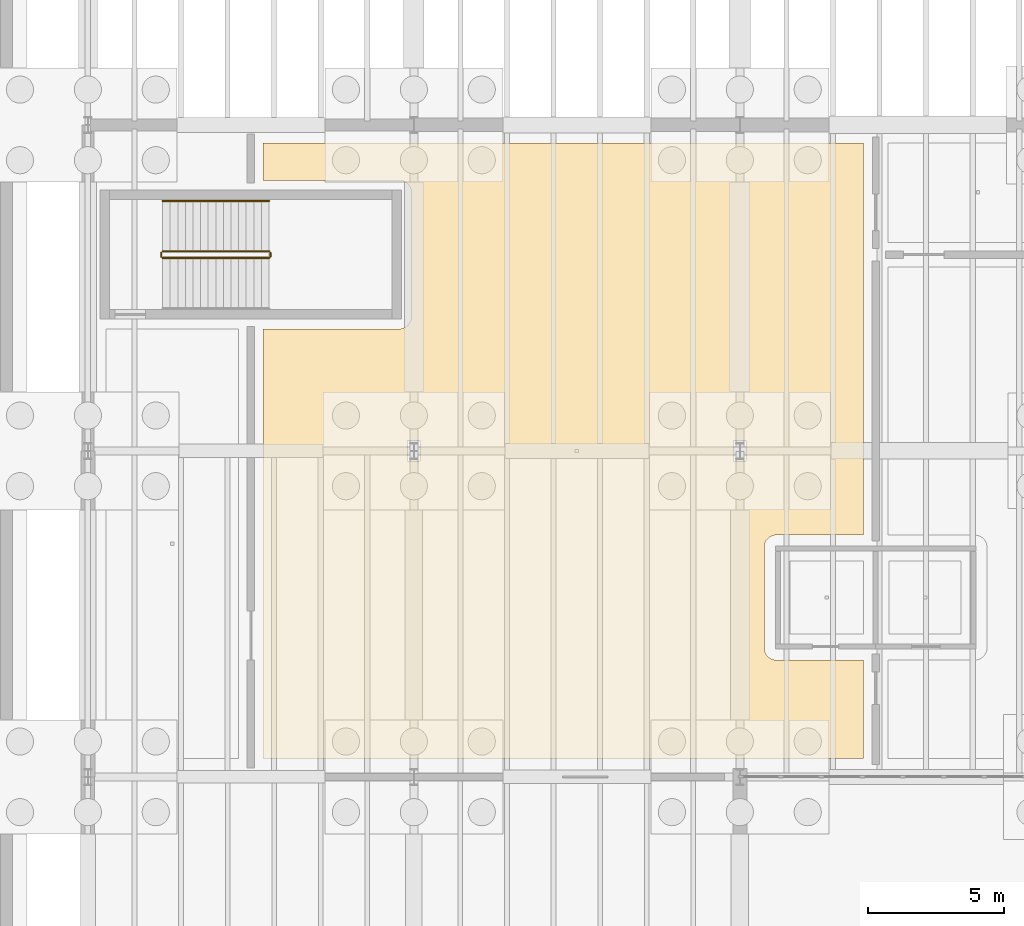
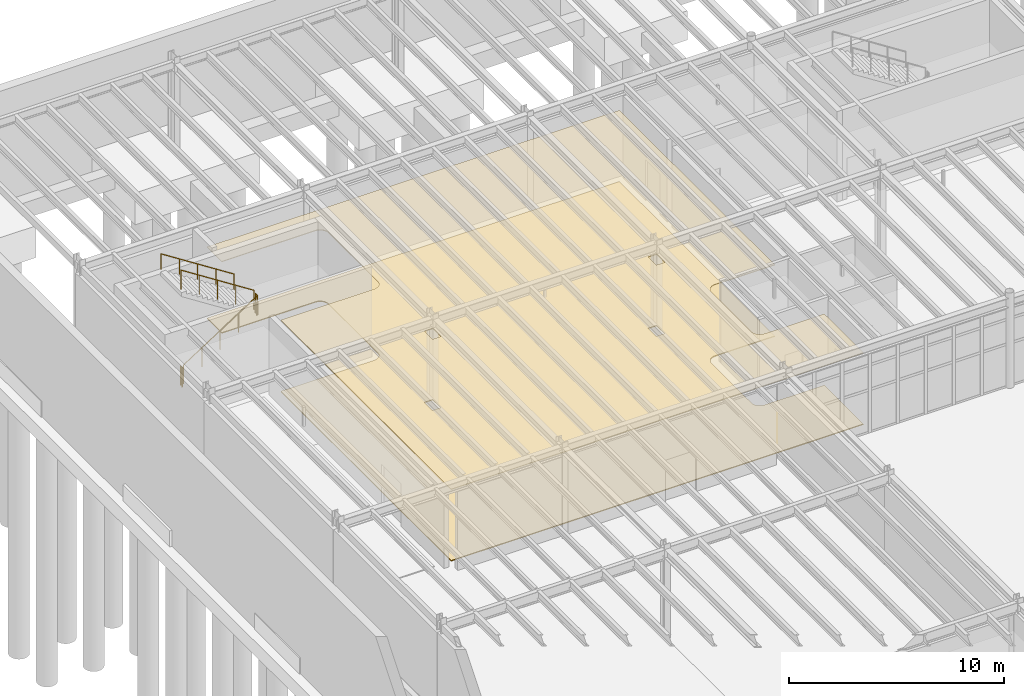
# One storey, part 55 of 67: 5 railings, 2 coverings.
"""IFC4 building model written with IfcOpenShell, lengths in metres."""

from ifc_helpers import new_model, si_unit, direction, frame, origin, origin_2d, place, context, subcontext, project, spatial, polyline, circle, outline, extrude, material, layer, layer_set, type_object, element, save


model = new_model("IFC4")

# Units and contexts
model_context = context("Model", 3, precision=1e-05, world=origin(), true_north=direction((0.0, 1.0)))
body_context = subcontext(model_context, "Body", "Model", "MODEL_VIEW")
ifc_project = project(units=[si_unit("LENGTHUNIT", "METRE"), si_unit("AREAUNIT", "SQUARE_METRE"), si_unit("VOLUMEUNIT", "CUBIC_METRE"), si_unit("PLANEANGLEUNIT", "RADIAN"), si_unit("MASSUNIT", "GRAM", prefix="KILO")], contexts=[model_context])

# Site, building, storey
site_placement = place(None, origin())
site = spatial("IfcSite", under=ifc_project, at=site_placement, CompositionType="ELEMENT")
building_placement = place(site_placement, origin())
building = spatial("IfcBuilding", under=site, at=building_placement, Name="Zlatogorsky Bluff Art Gallery", CompositionType="ELEMENT")
storey_placement = place(building_placement, frame((0.0, 0.0, -5.39990234375)))
storey = spatial("IfcBuildingStorey", under=building, at=storey_placement, Name="B1", CompositionType="ELEMENT", Elevation=-5.39990234375)

# Covering
ifc_material_1 = material(Name="Perforated Gypsum Acoustic Board", Category="gypsum")
ifc_layer_1 = layer(ifc_material_1, 0.0400390625)
ifc_layer_set_1 = layer_set([ifc_layer_1], Name="Acoustic Gallery Ceiling CLG-01")
covering_type_1 = type_object("IfcCoveringType", Name="Acoustic Gallery Ceiling CLG-01", PredefinedType="CEILING", material=ifc_layer_set_1)
covering_1_placement = place(storey_placement, frame((0.0, 0.0, 4.0498046875)))
element("IfcCovering", 1, at=covering_1_placement, inside=storey, type_object=covering_type_1, Name="Climate-Controlled Art Stores acoustic ceiling", PredefinedType="CEILING", context=body_context, shape_type="SweptSolid", body=[
    extrude(outline(polyline([(28.550048828125, 84.669921875), (6.449951171875, 84.669921875), (6.449951171875, 100.489990234375), (11.450927734375, 100.489990234375), (11.495361328125, 100.4921875), (11.539306640625, 100.498779296875), (11.540283203125, 100.498779296875), (11.549560546875, 100.5009765625), (11.550537109375, 100.501220703125), (11.59375, 100.512939453125), (11.6357421875, 100.529296875), (11.637451171875, 100.530029296875), (11.673095703125, 100.5478515625), (11.674072265625, 100.54833984375), (11.706298828125, 100.568115234375), (11.73681640625, 100.59033203125), (11.73828125, 100.591552734375), (11.775390625, 100.624755859375), (11.80859375, 100.661865234375), (11.809814453125, 100.663330078125), (11.83203125, 100.693603515625), (11.851806640625, 100.725830078125), (11.852294921875, 100.726806640625), (11.8701171875, 100.762451171875), (11.870849609375, 100.764404296875), (11.886962890625, 100.80615234375), (11.89892578125, 100.849609375), (11.899169921875, 100.850341796875), (11.901123046875, 100.859619140625), (11.9013671875, 100.860595703125), (11.90771484375, 100.90478515625), (11.909912109375, 100.948974609375), (11.909912109375, 105.5009765625), (11.90771484375, 105.54541015625), (11.9013671875, 105.58935546875), (11.901123046875, 105.59033203125), (11.899169921875, 105.599609375), (11.89892578125, 105.6005859375), (11.886962890625, 105.643798828125), (11.870849609375, 105.685791015625), (11.8701171875, 105.6875), (11.852294921875, 105.72314453125), (11.851806640625, 105.72412109375), (11.83203125, 105.75634765625), (11.809814453125, 105.78662109375), (11.80859375, 105.7880859375), (11.775390625, 105.8251953125), (11.73828125, 105.8583984375), (11.73681640625, 105.859619140625), (11.706298828125, 105.882080078125), (11.674072265625, 105.901611328125), (11.673095703125, 105.902099609375), (11.637451171875, 105.919921875), (11.63671875, 105.92041015625), (11.6357421875, 105.9208984375), (11.59375, 105.93701171875), (11.550537109375, 105.948974609375), (11.549560546875, 105.94921875), (11.540283203125, 105.951171875), (11.539306640625, 105.951416015625), (11.495361328125, 105.957763671875), (11.450927734375, 105.9599609375), (6.449951171875, 105.9599609375), (6.449951171875, 107.330078125), (28.550048828125, 107.330078125), (28.550048828125, 92.89990234375), (25.35009765625, 92.89990234375), (25.305908203125, 92.897705078125), (25.26220703125, 92.891357421875), (25.219482421875, 92.880615234375), (25.177734375, 92.86572265625), (25.137939453125, 92.846923828125), (25.10009765625, 92.82421875), (25.064453125, 92.7978515625), (25.03173828125, 92.768310546875), (25.002197265625, 92.735595703125), (24.975830078125, 92.699951171875), (24.953125, 92.662109375), (24.934326171875, 92.622314453125), (24.91943359375, 92.58056640625), (24.90869140625, 92.537841796875), (24.902099609375, 92.494140625), (24.89990234375, 92.449951171875), (24.89990234375, 88.75), (24.902099609375, 88.705810546875), (24.90869140625, 88.662109375), (24.91943359375, 88.619384765625), (24.934326171875, 88.577880859375), (24.953125, 88.537841796875), (24.975830078125, 88.5), (25.002197265625, 88.464599609375), (25.03173828125, 88.431884765625), (25.064453125, 88.402099609375), (25.10009765625, 88.375732421875), (25.137939453125, 88.35302734375), (25.177734375, 88.334228515625), (25.219482421875, 88.3193359375), (25.26220703125, 88.30859375), (25.305908203125, 88.30224609375), (25.35009765625, 88.300048828125), (28.550048828125, 88.300048828125), (28.550048828125, 84.669921875)]), holes=[polyline([(23.77001953125, 96.3798828125), (23.77001953125, 95.6201171875), (24.22998046875, 95.6201171875), (24.22998046875, 96.3798828125), (23.77001953125, 96.3798828125)]), polyline([(11.77001953125, 95.6201171875), (12.22998046875, 95.6201171875), (12.22998046875, 96.3798828125), (11.77001953125, 96.3798828125), (11.77001953125, 95.6201171875)])]), origin(), (0.0, 0.0, 1.0), 0.0400390625),
])

# Railings
ifc_material_2 = material(Name="Architectural Bronze and Laminated Glass", Category="glass")
railing_type_1 = type_object("IfcRailingType", Name="Gallery Guard Rail 1100mm", PredefinedType="GUARDRAIL", material=ifc_material_2)
railing_1_placement = place(storey_placement, frame((2.75, 103.10009765625, 0.179931640625)))
element("IfcRailing", 2, at=railing_1_placement, inside=storey, type_object=railing_type_1, Name="B1 ST-05 stair guard 1", PredefinedType="GUARDRAIL", context=body_context, shape_type="SweptSolid", body=[
    extrude(circle(Radius=0.02392578125, at=origin_2d()), frame((0.0, 0.0, 1.076171875), z_axis=(0.841171666519, 0.0, 0.540768182723), x_axis=(0.0, 1.0, 0.0)), (0.0, 0.0, 1.0), 4.66015625),
    extrude(circle(Radius=0.02099609375, at=origin_2d()), origin(), (0.0, 0.0, 1.0), 1.052001953125),
    extrude(circle(Radius=0.02099609375, at=origin_2d()), frame((0.97998046875, 0.0, 0.6298828125)), (0.0, 0.0, 1.0), 1.052001953125),
    extrude(circle(Radius=0.02099609375, at=origin_2d()), frame((1.9599609375, 0.0, 1.260009765625)), (0.0, 0.0, 1.0), 1.052001953125),
    extrude(circle(Radius=0.02099609375, at=origin_2d()), frame((2.93994140625, 0.0, 1.89013671875)), (0.0, 0.0, 1.0), 1.052001953125),
    extrude(circle(Radius=0.02099609375, at=origin_2d()), frame((3.919921875, 0.0, 2.52001953125)), (0.0, 0.0, 1.0), 1.052001953125),
])
railing_2_placement = place(storey_placement, frame((6.719970703125, 103.14990234375, 2.699951171875)))
element("IfcRailing", 3, at=railing_2_placement, inside=storey, type_object=railing_type_1, Name="B1 ST-05 stair guard 2", PredefinedType="GUARDRAIL", context=body_context, shape_type="SweptSolid", body=[
    extrude(circle(Radius=0.02392578125, at=origin_2d()), frame((0.0, 0.0, 1.076171875), z_axis=(0.0, 1.0, 0.0), x_axis=(-1.0, 0.0, 0.0)), (0.0, 0.0, 1.0), 0.150146484375),
    extrude(circle(Radius=0.02099609375, at=origin_2d()), origin(), (0.0, 0.0, 1.0), 1.052001953125),
    extrude(circle(Radius=0.02099609375, at=origin_2d()), frame((0.0, 0.150146484375, 0.0)), (0.0, 0.0, 1.0), 1.052001953125),
])
railing_3_placement = place(storey_placement, frame((6.669921875, 103.35009765625, 2.8798828125)))
element("IfcRailing", 4, at=railing_3_placement, inside=storey, type_object=railing_type_1, Name="B1 ST-05 stair guard 3", PredefinedType="GUARDRAIL", context=body_context, shape_type="SweptSolid", body=[
    extrude(circle(Radius=0.02392578125, at=origin_2d()), frame((0.0, 0.0, 1.076171875), z_axis=(-0.841171666519, 0.0, 0.540768182723), x_axis=(0.0, -1.0, 0.0)), (0.0, 0.0, 1.0), 4.66015625),
    extrude(circle(Radius=0.02099609375, at=origin_2d()), origin(), (0.0, 0.0, 1.0), 1.052001953125),
    extrude(circle(Radius=0.02099609375, at=origin_2d()), frame((-0.97998046875, 0.0, 0.6298828125)), (0.0, 0.0, 1.0), 1.052001953125),
    extrude(circle(Radius=0.02099609375, at=origin_2d()), frame((-1.9599609375, 0.0, 1.260009765625)), (0.0, 0.0, 1.0), 1.052001953125),
    extrude(circle(Radius=0.02099609375, at=origin_2d()), frame((-2.93994140625, 0.0, 1.89013671875)), (0.0, 0.0, 1.0), 1.052001953125),
    extrude(circle(Radius=0.02099609375, at=origin_2d()), frame((-3.919921875, 0.0, 2.52001953125)), (0.0, 0.0, 1.0), 1.052001953125),
])
railing_4_placement = place(storey_placement, frame((2.699951171875, 103.14990234375, 0.0)))
element("IfcRailing", 5, at=railing_4_placement, inside=storey, type_object=railing_type_1, Name="B1 ST-05 stair guard 4", PredefinedType="GUARDRAIL", context=body_context, shape_type="SweptSolid", body=[
    extrude(circle(Radius=0.02392578125, at=origin_2d()), frame((0.0, 0.0, 1.076171875), z_axis=(0.0, 1.0, 0.0), x_axis=(-1.0, 0.0, 0.0)), (0.0, 0.0, 1.0), 0.150146484375),
    extrude(circle(Radius=0.02099609375, at=origin_2d()), origin(), (0.0, 0.0, 1.0), 1.052001953125),
    extrude(circle(Radius=0.02099609375, at=origin_2d()), frame((0.0, 0.150146484375, 0.0)), (0.0, 0.0, 1.0), 1.052001953125),
])
ifc_material_3 = material(Name="Brushed Stainless Steel", Category="steel")
railing_type_2 = type_object("IfcRailingType", Name="Stair Pitch Handrail 900mm", PredefinedType="HANDRAIL", material=ifc_material_3)
railing_5_placement = place(storey_placement, frame((6.669921875, 105.199951171875, 2.8798828125)))
element("IfcRailing", 6, at=railing_5_placement, inside=storey, type_object=railing_type_2, Name="B1 ST-05 stair handrail 2", PredefinedType="HANDRAIL", context=body_context, shape_type="SweptSolid", body=[
    extrude(circle(Radius=0.02392578125, at=origin_2d()), frame((0.0, 0.0, 0.8759765625), z_axis=(-0.841171666519, 0.0, 0.540768182723), x_axis=(0.0, -1.0, 0.0)), (0.0, 0.0, 1.0), 4.66015625),
    extrude(circle(Radius=0.02099609375, at=origin_2d()), origin(), (0.0, 0.0, 1.0), 0.851806640625),
    extrude(circle(Radius=0.02099609375, at=origin_2d()), frame((-0.97998046875, 0.0, 0.6298828125)), (0.0, 0.0, 1.0), 0.851806640625),
    extrude(circle(Radius=0.02099609375, at=origin_2d()), frame((-1.9599609375, 0.0, 1.260009765625)), (0.0, 0.0, 1.0), 0.851806640625),
    extrude(circle(Radius=0.02099609375, at=origin_2d()), frame((-2.93994140625, 0.0, 1.89013671875)), (0.0, 0.0, 1.0), 0.851806640625),
    extrude(circle(Radius=0.02099609375, at=origin_2d()), frame((-3.919921875, 0.0, 2.52001953125)), (0.0, 0.0, 1.0), 0.851806640625),
])

# Covering
ifc_material_4 = material(Name="Polished Ural Marble Terrazzo", Category="masonry")
ifc_layer_2 = layer(ifc_material_4, 0.050048828125)
ifc_layer_set_2 = layer_set([ifc_layer_2], Name="Terrazzo Gallery Flooring FLR-01")
covering_type_2 = type_object("IfcCoveringType", Name="Terrazzo Gallery Flooring FLR-01", PredefinedType="FLOORING", material=ifc_layer_set_2)
covering_2_placement = place(storey_placement, origin())
element("IfcCovering", 7, at=covering_2_placement, inside=storey, type_object=covering_type_2, Name="Climate-Controlled Art Stores terrazzo floor finish", PredefinedType="FLOORING", context=body_context, shape_type="SweptSolid", body=[
    extrude(outline(polyline([(28.550048828125, 84.669921875), (6.449951171875, 84.669921875), (6.449951171875, 100.489990234375), (11.450927734375, 100.489990234375), (11.495361328125, 100.4921875), (11.539306640625, 100.498779296875), (11.540283203125, 100.498779296875), (11.549560546875, 100.5009765625), (11.550537109375, 100.501220703125), (11.59375, 100.512939453125), (11.6357421875, 100.529296875), (11.637451171875, 100.530029296875), (11.673095703125, 100.5478515625), (11.674072265625, 100.54833984375), (11.706298828125, 100.568115234375), (11.73681640625, 100.59033203125), (11.73828125, 100.591552734375), (11.775390625, 100.624755859375), (11.80859375, 100.661865234375), (11.809814453125, 100.663330078125), (11.83203125, 100.693603515625), (11.851806640625, 100.725830078125), (11.852294921875, 100.726806640625), (11.8701171875, 100.762451171875), (11.870849609375, 100.764404296875), (11.886962890625, 100.80615234375), (11.89892578125, 100.849609375), (11.899169921875, 100.850341796875), (11.901123046875, 100.859619140625), (11.9013671875, 100.860595703125), (11.90771484375, 100.90478515625), (11.909912109375, 100.948974609375), (11.909912109375, 105.5009765625), (11.90771484375, 105.54541015625), (11.9013671875, 105.58935546875), (11.901123046875, 105.59033203125), (11.899169921875, 105.599609375), (11.89892578125, 105.6005859375), (11.886962890625, 105.643798828125), (11.870849609375, 105.685791015625), (11.8701171875, 105.6875), (11.852294921875, 105.72314453125), (11.851806640625, 105.72412109375), (11.83203125, 105.75634765625), (11.809814453125, 105.78662109375), (11.80859375, 105.7880859375), (11.775390625, 105.8251953125), (11.73828125, 105.8583984375), (11.73681640625, 105.859619140625), (11.706298828125, 105.882080078125), (11.674072265625, 105.901611328125), (11.673095703125, 105.902099609375), (11.637451171875, 105.919921875), (11.63671875, 105.92041015625), (11.6357421875, 105.9208984375), (11.59375, 105.93701171875), (11.550537109375, 105.948974609375), (11.549560546875, 105.94921875), (11.540283203125, 105.951171875), (11.539306640625, 105.951416015625), (11.495361328125, 105.957763671875), (11.450927734375, 105.9599609375), (6.449951171875, 105.9599609375), (6.449951171875, 107.330078125), (28.550048828125, 107.330078125), (28.550048828125, 92.89990234375), (25.35009765625, 92.89990234375), (25.305908203125, 92.897705078125), (25.26220703125, 92.891357421875), (25.219482421875, 92.880615234375), (25.177734375, 92.86572265625), (25.137939453125, 92.846923828125), (25.10009765625, 92.82421875), (25.064453125, 92.7978515625), (25.03173828125, 92.768310546875), (25.002197265625, 92.735595703125), (24.975830078125, 92.699951171875), (24.953125, 92.662109375), (24.934326171875, 92.622314453125), (24.91943359375, 92.58056640625), (24.90869140625, 92.537841796875), (24.902099609375, 92.494140625), (24.89990234375, 92.449951171875), (24.89990234375, 88.75), (24.902099609375, 88.705810546875), (24.90869140625, 88.662109375), (24.91943359375, 88.619384765625), (24.934326171875, 88.577880859375), (24.953125, 88.537841796875), (24.975830078125, 88.5), (25.002197265625, 88.464599609375), (25.03173828125, 88.431884765625), (25.064453125, 88.402099609375), (25.10009765625, 88.375732421875), (25.137939453125, 88.35302734375), (25.177734375, 88.334228515625), (25.219482421875, 88.3193359375), (25.26220703125, 88.30859375), (25.305908203125, 88.30224609375), (25.35009765625, 88.300048828125), (28.550048828125, 88.300048828125), (28.550048828125, 84.669921875)]), holes=[polyline([(23.77001953125, 96.3798828125), (23.77001953125, 95.6201171875), (24.22998046875, 95.6201171875), (24.22998046875, 96.3798828125), (23.77001953125, 96.3798828125)]), polyline([(11.77001953125, 95.6201171875), (12.22998046875, 95.6201171875), (12.22998046875, 96.3798828125), (11.77001953125, 96.3798828125), (11.77001953125, 95.6201171875)])]), origin(), (0.0, 0.0, 1.0), 0.0498046875),
])

save(model, "model.ifc")
